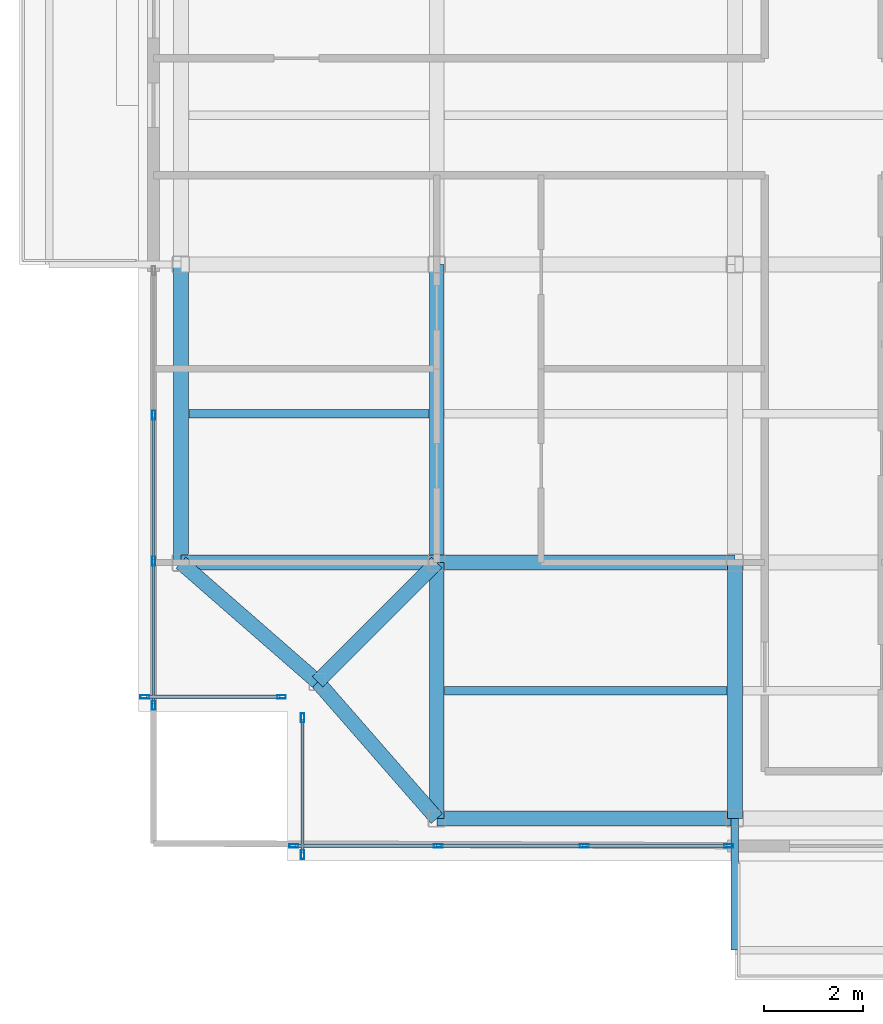
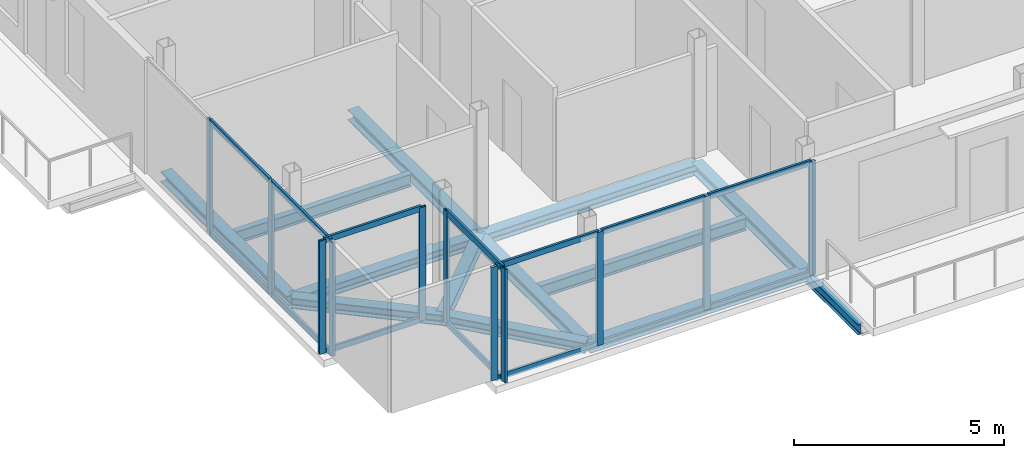
# One storey, part 2 of 18: 25 members, 13 beams, 4 elements without a shape of their own.
"""IFC4 building model written with IfcOpenShell, lengths in metres."""

from ifc_helpers import new_model, si_unit, direction, frame, origin, origin_2d, place, context, subcontext, project, spatial, hollow_rectangle, i_section, extrude, material, layer, layer_set, material_profile, profile_set, type_object, element, aggregate, save


model = new_model("IFC4")

# Units and contexts
model_context = context("Model", 3, precision=1e-05, world=origin(), true_north=direction((0.0, 1.0)))
body_context = subcontext(model_context, "Body", "Model", "MODEL_VIEW")
ifc_project = project(units=[si_unit("LENGTHUNIT", "METRE"), si_unit("AREAUNIT", "SQUARE_METRE"), si_unit("VOLUMEUNIT", "CUBIC_METRE"), si_unit("PLANEANGLEUNIT", "RADIAN"), si_unit("MASSUNIT", "GRAM", prefix="KILO"), si_unit("THERMODYNAMICTEMPERATUREUNIT", "KELVIN"), si_unit("POWERUNIT", "WATT")], contexts=[model_context])

# Site, building, storey
site_placement = place(None, origin())
site = spatial("IfcSite", under=ifc_project, at=site_placement, CompositionType="ELEMENT")
building_placement = place(site_placement, origin())
building = spatial("IfcBuilding", under=site, at=building_placement, Name="Svarakhadi Broadcast Tower", CompositionType="ELEMENT")
storey_placement = place(building_placement, frame((0.0, 0.0, 267.699951171875)))
storey = spatial("IfcBuildingStorey", under=building, at=storey_placement, Name="L67", CompositionType="ELEMENT", Elevation=267.699951171875)

# Beams
ifc_material_1 = material(Name="Steel S355J2 (IS 2062 E350C)", Category="steel")
ifc_material_profile_1 = material_profile(ifc_material_1, i_section(OverallWidth=0.169921875, OverallDepth=0.360107421875, WebThickness=0.008056640625, FlangeThickness=0.0126953125, FilletRadius=0.01806640625, at=origin_2d()), Name="NPB 360x170x57")
ifc_profile_set_1 = profile_set([ifc_material_profile_1], Name="Steel S355J2 (IS 2062 E350C)")
beam_type_1 = type_object("IfcBeamType", Name="Beam_NPB360", PredefinedType="BEAM", material=ifc_profile_set_1)
beam_1_placement = place(storey_placement, frame((1.010009765625, 9.0, -0.3798828125), z_axis=(1.0, 0.0, 0.0), x_axis=(0.0, 1.0, 0.0)))
element("IfcBeam", 1, at=beam_1_placement, inside=storey, type_object=beam_type_1, Name="L67 Secondary Composite Beam SB001", PredefinedType="BEAM", context=body_context, shape_type="SweptSolid", body=[
    extrude(i_section(OverallWidth=0.169921875, OverallDepth=0.360107421875, WebThickness=0.008056640625, FlangeThickness=0.0126953125, FilletRadius=0.01806640625, at=origin_2d()), origin(), (0.0, 0.0, 1.0), 4.830078125),
])
beam_2_placement = place(storey_placement, frame((6.159912109375, 3.425048828125, -0.3798828125), z_axis=(1.0, 0.0, 0.0), x_axis=(0.0, 1.0, 0.0)))
element("IfcBeam", 2, at=beam_2_placement, inside=storey, type_object=beam_type_1, Name="L67 Secondary Composite Beam SB004", PredefinedType="BEAM", context=body_context, shape_type="SweptSolid", body=[
    extrude(i_section(OverallWidth=0.169921875, OverallDepth=0.360107421875, WebThickness=0.008056640625, FlangeThickness=0.0126953125, FilletRadius=0.01806640625, at=origin_2d()), origin(), (0.0, 0.0, 1.0), 5.68017578125),
])

# Curtain wall, members
ifc_material_2 = material(Name="Anodised Bronze Aluminium AA 6063-T6", Category="aluminium")
ifc_layer = layer(ifc_material_2, 0.179931640625)
ifc_layer_set = layer_set([ifc_layer], Name="Anodised Bronze Aluminium AA 6063-T6")
curtain_wall_type = type_object("IfcCurtainWallType", Name="CW_Sys_05", PredefinedType="NOTDEFINED", material=ifc_layer_set)
curtain_wall_1_placement = place(storey_placement, origin())
curtain_wall_1 = element("IfcCurtainWall", 3, at=curtain_wall_1_placement, inside=storey, type_object=curtain_wall_type, Name="L67 Unitised Facade Curtain Wall 01", PredefinedType="NOTDEFINED")
ifc_material_profile_2 = material_profile(ifc_material_2, hollow_rectangle(XDim=0.070068359375, YDim=0.179931640625, WallThickness=0.005615234375, at=origin_2d()), Name="ALU MULLION 180x70x6")
ifc_profile_set_2 = profile_set([ifc_material_profile_2], Name="Anodised Bronze Aluminium AA 6063-T6")
member_type_1 = type_object("IfcMemberType", Name="CW_Sys_05_Mul", PredefinedType="MULLION", material=ifc_profile_set_2)
member_1_placement = place(storey_placement, frame((2.875, 3.300048828125, 0.0), z_axis=(0.0, 0.0, 1.0), x_axis=(0.0, -1.0, 0.0)))
member_1 = element("IfcMember", 4, at=member_1_placement, type_object=member_type_1, Name="CW-05 mullion 1", PredefinedType="MULLION", context=body_context, shape_type="SweptSolid", body=[
    extrude(hollow_rectangle(XDim=0.070068359375, YDim=0.179931640625, WallThickness=0.005615234375, at=origin_2d()), origin(), (0.0, 0.0, 1.0), 3.300048828125),
])
member_2_placement = place(storey_placement, frame((0.125, 3.300048828125, 0.0), z_axis=(0.0, 0.0, 1.0), x_axis=(0.0, -1.0, 0.0)))
member_2 = element("IfcMember", 5, at=member_2_placement, type_object=member_type_1, Name="CW-05 mullion 2", PredefinedType="MULLION", context=body_context, shape_type="SweptSolid", body=[
    extrude(hollow_rectangle(XDim=0.070068359375, YDim=0.179931640625, WallThickness=0.005615234375, at=origin_2d()), origin(), (0.0, 0.0, 1.0), 3.300048828125),
])

curtain_wall_2_placement = place(storey_placement, origin())
curtain_wall_2 = element("IfcCurtainWall", 6, at=curtain_wall_2_placement, inside=storey, type_object=curtain_wall_type, Name="L67 West Curtain Wall 02", PredefinedType="NOTDEFINED")
member_3_placement = place(storey_placement, frame((0.300048828125, 3.125, 0.0), z_axis=(0.0, 0.0, 1.0), x_axis=(-1.0, 0.0, 0.0)))
member_3 = element("IfcMember", 7, at=member_3_placement, type_object=member_type_1, Name="CW-05 mullion 1", PredefinedType="MULLION", context=body_context, shape_type="SweptSolid", body=[
    extrude(hollow_rectangle(XDim=0.070068359375, YDim=0.179931640625, WallThickness=0.005615234375, at=origin_2d()), origin(), (0.0, 0.0, 1.0), 3.300048828125),
])
member_4_placement = place(storey_placement, frame((0.300048828125, 6.030029296875, 0.0), z_axis=(0.0, 0.0, 1.0), x_axis=(-1.0, 0.0, 0.0)))
member_4 = element("IfcMember", 8, at=member_4_placement, type_object=member_type_1, Name="CW-05 mullion 2", PredefinedType="MULLION", context=body_context, shape_type="SweptSolid", body=[
    extrude(hollow_rectangle(XDim=0.070068359375, YDim=0.179931640625, WallThickness=0.005615234375, at=origin_2d()), origin(), (0.0, 0.0, 1.0), 3.300048828125),
])
member_5_placement = place(storey_placement, frame((0.300048828125, 8.969970703125, 0.0), z_axis=(0.0, 0.0, 1.0), x_axis=(-1.0, 0.0, 0.0)))
member_5 = element("IfcMember", 9, at=member_5_placement, type_object=member_type_1, Name="CW-05 mullion 3", PredefinedType="MULLION", context=body_context, shape_type="SweptSolid", body=[
    extrude(hollow_rectangle(XDim=0.070068359375, YDim=0.179931640625, WallThickness=0.005615234375, at=origin_2d()), origin(), (0.0, 0.0, 1.0), 3.300048828125),
])

curtain_wall_3_placement = place(storey_placement, origin())
curtain_wall_3 = element("IfcCurtainWall", 10, at=curtain_wall_3_placement, inside=storey, type_object=curtain_wall_type, Name="L67 South Curtain Wall 17", PredefinedType="NOTDEFINED")
member_6_placement = place(storey_placement, frame((11.875, 0.300048828125, 0.0), z_axis=(0.0, 0.0, 1.0), x_axis=(0.0, -1.0, 0.0)))
member_6 = element("IfcMember", 11, at=member_6_placement, type_object=member_type_1, Name="CW-05 mullion 1", PredefinedType="MULLION", context=body_context, shape_type="SweptSolid", body=[
    extrude(hollow_rectangle(XDim=0.070068359375, YDim=0.179931640625, WallThickness=0.005615234375, at=origin_2d()), origin(), (0.0, 0.0, 1.0), 3.300048828125),
])
member_7_placement = place(storey_placement, frame((8.969970703125, 0.300048828125, 0.0), z_axis=(0.0, 0.0, 1.0), x_axis=(0.0, -1.0, 0.0)))
member_7 = element("IfcMember", 12, at=member_7_placement, type_object=member_type_1, Name="CW-05 mullion 2", PredefinedType="MULLION", context=body_context, shape_type="SweptSolid", body=[
    extrude(hollow_rectangle(XDim=0.070068359375, YDim=0.179931640625, WallThickness=0.005615234375, at=origin_2d()), origin(), (0.0, 0.0, 1.0), 3.300048828125),
])
member_8_placement = place(storey_placement, frame((6.030029296875, 0.300048828125, 0.0), z_axis=(0.0, 0.0, 1.0), x_axis=(0.0, -1.0, 0.0)))
member_8 = element("IfcMember", 13, at=member_8_placement, type_object=member_type_1, Name="CW-05 mullion 3", PredefinedType="MULLION", context=body_context, shape_type="SweptSolid", body=[
    extrude(hollow_rectangle(XDim=0.070068359375, YDim=0.179931640625, WallThickness=0.005615234375, at=origin_2d()), origin(), (0.0, 0.0, 1.0), 3.300048828125),
])
member_9_placement = place(storey_placement, frame((3.125, 0.300048828125, 0.0), z_axis=(0.0, 0.0, 1.0), x_axis=(0.0, -1.0, 0.0)))
member_9 = element("IfcMember", 14, at=member_9_placement, type_object=member_type_1, Name="CW-05 mullion 4", PredefinedType="MULLION", context=body_context, shape_type="SweptSolid", body=[
    extrude(hollow_rectangle(XDim=0.070068359375, YDim=0.179931640625, WallThickness=0.005615234375, at=origin_2d()), origin(), (0.0, 0.0, 1.0), 3.300048828125),
])

curtain_wall_4_placement = place(storey_placement, origin())
curtain_wall_4 = element("IfcCurtainWall", 15, at=curtain_wall_4_placement, inside=storey, type_object=curtain_wall_type, Name="L67 Unitised Facade Curtain Wall 18", PredefinedType="NOTDEFINED")
member_10_placement = place(storey_placement, frame((3.300048828125, 0.125, 0.0), z_axis=(0.0, 0.0, 1.0), x_axis=(-1.0, 0.0, 0.0)))
member_10 = element("IfcMember", 16, at=member_10_placement, type_object=member_type_1, Name="CW-05 mullion 1", PredefinedType="MULLION", context=body_context, shape_type="SweptSolid", body=[
    extrude(hollow_rectangle(XDim=0.070068359375, YDim=0.179931640625, WallThickness=0.005615234375, at=origin_2d()), origin(), (0.0, 0.0, 1.0), 3.300048828125),
])
member_11_placement = place(storey_placement, frame((3.300048828125, 2.875, 0.0), z_axis=(0.0, 0.0, 1.0), x_axis=(-1.0, 0.0, 0.0)))
member_11 = element("IfcMember", 17, at=member_11_placement, type_object=member_type_1, Name="CW-05 mullion 2", PredefinedType="MULLION", context=body_context, shape_type="SweptSolid", body=[
    extrude(hollow_rectangle(XDim=0.070068359375, YDim=0.179931640625, WallThickness=0.005615234375, at=origin_2d()), origin(), (0.0, 0.0, 1.0), 3.300048828125),
])

# Member
ifc_material_profile_3 = material_profile(ifc_material_2, hollow_rectangle(XDim=0.06494140625, YDim=0.1650390625, WallThickness=0.0048828125, at=origin_2d()), Name="ALU TRANSOM 165x65x5")
ifc_profile_set_3 = profile_set([ifc_material_profile_3], Name="Anodised Bronze Aluminium AA 6063-T6")
member_type_2 = type_object("IfcMemberType", Name="CW_Sys_05_Trn", PredefinedType="USERDEFINED", material=ifc_profile_set_3)
member_12_placement = place(storey_placement, frame((2.840087890625, 3.300048828125, 0.032470703125), z_axis=(-1.0, 0.0, 0.0), x_axis=(0.0, -1.0, 0.0)))
member_12 = element("IfcMember", 18, at=member_12_placement, type_object=member_type_2, Name="CW-05 transom 1.1", ObjectType="TRANSOM", PredefinedType="USERDEFINED", context=body_context, shape_type="SweptSolid", body=[
    extrude(hollow_rectangle(XDim=0.06494140625, YDim=0.1650390625, WallThickness=0.0048828125, at=origin_2d()), origin(), (0.0, 0.0, 1.0), 2.68017578125),
])

member_13_placement = place(storey_placement, frame((2.840087890625, 3.300048828125, 3.267578125), z_axis=(-1.0, 0.0, 0.0), x_axis=(0.0, -1.0, 0.0)))
member_13 = element("IfcMember", 19, at=member_13_placement, type_object=member_type_2, Name="CW-05 transom 1.2", ObjectType="TRANSOM", PredefinedType="USERDEFINED", context=body_context, shape_type="SweptSolid", body=[
    extrude(hollow_rectangle(XDim=0.06494140625, YDim=0.1650390625, WallThickness=0.0048828125, at=origin_2d()), origin(), (0.0, 0.0, 1.0), 2.68017578125),
])

aggregate(curtain_wall_1, [member_1, member_2, member_12, member_13])

member_14_placement = place(storey_placement, frame((0.300048828125, 3.159912109375, 0.032470703125), z_axis=(0.0, 1.0, 0.0), x_axis=(-1.0, 0.0, 0.0)))
member_14 = element("IfcMember", 20, at=member_14_placement, type_object=member_type_2, Name="CW-05 transom 1.1", ObjectType="TRANSOM", PredefinedType="USERDEFINED", context=body_context, shape_type="SweptSolid", body=[
    extrude(hollow_rectangle(XDim=0.06494140625, YDim=0.1650390625, WallThickness=0.0048828125, at=origin_2d()), origin(), (0.0, 0.0, 1.0), 2.835205078125),
])

member_15_placement = place(storey_placement, frame((0.300048828125, 3.159912109375, 3.267578125), z_axis=(0.0, 1.0, 0.0), x_axis=(-1.0, 0.0, 0.0)))
member_15 = element("IfcMember", 21, at=member_15_placement, type_object=member_type_2, Name="CW-05 transom 1.2", ObjectType="TRANSOM", PredefinedType="USERDEFINED", context=body_context, shape_type="SweptSolid", body=[
    extrude(hollow_rectangle(XDim=0.06494140625, YDim=0.1650390625, WallThickness=0.0048828125, at=origin_2d()), origin(), (0.0, 0.0, 1.0), 2.835205078125),
])

member_16_placement = place(storey_placement, frame((0.300048828125, 6.06494140625, 0.032470703125), z_axis=(0.0, 1.0, 0.0), x_axis=(-1.0, 0.0, 0.0)))
member_16 = element("IfcMember", 22, at=member_16_placement, type_object=member_type_2, Name="CW-05 transom 2.1", ObjectType="TRANSOM", PredefinedType="USERDEFINED", context=body_context, shape_type="SweptSolid", body=[
    extrude(hollow_rectangle(XDim=0.06494140625, YDim=0.1650390625, WallThickness=0.0048828125, at=origin_2d()), origin(), (0.0, 0.0, 1.0), 2.8701171875),
])

member_17_placement = place(storey_placement, frame((0.300048828125, 6.06494140625, 3.267578125), z_axis=(0.0, 1.0, 0.0), x_axis=(-1.0, 0.0, 0.0)))
member_17 = element("IfcMember", 23, at=member_17_placement, type_object=member_type_2, Name="CW-05 transom 2.2", ObjectType="TRANSOM", PredefinedType="USERDEFINED", context=body_context, shape_type="SweptSolid", body=[
    extrude(hollow_rectangle(XDim=0.06494140625, YDim=0.1650390625, WallThickness=0.0048828125, at=origin_2d()), origin(), (0.0, 0.0, 1.0), 2.8701171875),
])

aggregate(curtain_wall_2, [member_3, member_4, member_5, member_14, member_15, member_16, member_17])

member_18_placement = place(storey_placement, frame((11.840087890625, 0.300048828125, 0.032470703125), z_axis=(-1.0, 0.0, 0.0), x_axis=(0.0, -1.0, 0.0)))
member_18 = element("IfcMember", 24, at=member_18_placement, type_object=member_type_2, Name="CW-05 transom 1.1", ObjectType="TRANSOM", PredefinedType="USERDEFINED", context=body_context, shape_type="SweptSolid", body=[
    extrude(hollow_rectangle(XDim=0.06494140625, YDim=0.1650390625, WallThickness=0.0048828125, at=origin_2d()), origin(), (0.0, 0.0, 1.0), 2.835205078125),
])

member_19_placement = place(storey_placement, frame((11.840087890625, 0.300048828125, 3.267578125), z_axis=(-1.0, 0.0, 0.0), x_axis=(0.0, -1.0, 0.0)))
member_19 = element("IfcMember", 25, at=member_19_placement, type_object=member_type_2, Name="CW-05 transom 1.2", ObjectType="TRANSOM", PredefinedType="USERDEFINED", context=body_context, shape_type="SweptSolid", body=[
    extrude(hollow_rectangle(XDim=0.06494140625, YDim=0.1650390625, WallThickness=0.0048828125, at=origin_2d()), origin(), (0.0, 0.0, 1.0), 2.835205078125),
])

member_20_placement = place(storey_placement, frame((8.93505859375, 0.300048828125, 0.032470703125), z_axis=(-1.0, 0.0, 0.0), x_axis=(0.0, -1.0, 0.0)))
member_20 = element("IfcMember", 26, at=member_20_placement, type_object=member_type_2, Name="CW-05 transom 2.1", ObjectType="TRANSOM", PredefinedType="USERDEFINED", context=body_context, shape_type="SweptSolid", body=[
    extrude(hollow_rectangle(XDim=0.06494140625, YDim=0.1650390625, WallThickness=0.0048828125, at=origin_2d()), origin(), (0.0, 0.0, 1.0), 2.8701171875),
])

member_21_placement = place(storey_placement, frame((8.93505859375, 0.300048828125, 3.267578125), z_axis=(-1.0, 0.0, 0.0), x_axis=(0.0, -1.0, 0.0)))
member_21 = element("IfcMember", 27, at=member_21_placement, type_object=member_type_2, Name="CW-05 transom 2.2", ObjectType="TRANSOM", PredefinedType="USERDEFINED", context=body_context, shape_type="SweptSolid", body=[
    extrude(hollow_rectangle(XDim=0.06494140625, YDim=0.1650390625, WallThickness=0.0048828125, at=origin_2d()), origin(), (0.0, 0.0, 1.0), 2.8701171875),
])

member_22_placement = place(storey_placement, frame((5.9951171875, 0.300048828125, 0.032470703125), z_axis=(-1.0, 0.0, 0.0), x_axis=(0.0, -1.0, 0.0)))
member_22 = element("IfcMember", 28, at=member_22_placement, type_object=member_type_2, Name="CW-05 transom 3.1", ObjectType="TRANSOM", PredefinedType="USERDEFINED", context=body_context, shape_type="SweptSolid", body=[
    extrude(hollow_rectangle(XDim=0.06494140625, YDim=0.1650390625, WallThickness=0.0048828125, at=origin_2d()), origin(), (0.0, 0.0, 1.0), 2.835205078125),
])

member_23_placement = place(storey_placement, frame((5.9951171875, 0.300048828125, 3.267578125), z_axis=(-1.0, 0.0, 0.0), x_axis=(0.0, -1.0, 0.0)))
member_23 = element("IfcMember", 29, at=member_23_placement, type_object=member_type_2, Name="CW-05 transom 3.2", ObjectType="TRANSOM", PredefinedType="USERDEFINED", context=body_context, shape_type="SweptSolid", body=[
    extrude(hollow_rectangle(XDim=0.06494140625, YDim=0.1650390625, WallThickness=0.0048828125, at=origin_2d()), origin(), (0.0, 0.0, 1.0), 2.835205078125),
])

aggregate(curtain_wall_3, [member_6, member_7, member_8, member_9, member_18, member_19, member_20, member_21, member_22, member_23])

member_24_placement = place(storey_placement, frame((3.300048828125, 0.159912109375, 0.032470703125), z_axis=(0.0, 1.0, 0.0), x_axis=(-1.0, 0.0, 0.0)))
member_24 = element("IfcMember", 30, at=member_24_placement, type_object=member_type_2, Name="CW-05 transom 1.1", ObjectType="TRANSOM", PredefinedType="USERDEFINED", context=body_context, shape_type="SweptSolid", body=[
    extrude(hollow_rectangle(XDim=0.06494140625, YDim=0.1650390625, WallThickness=0.0048828125, at=origin_2d()), origin(), (0.0, 0.0, 1.0), 2.68017578125),
])

member_25_placement = place(storey_placement, frame((3.300048828125, 0.159912109375, 3.267578125), z_axis=(0.0, 1.0, 0.0), x_axis=(-1.0, 0.0, 0.0)))
member_25 = element("IfcMember", 31, at=member_25_placement, type_object=member_type_2, Name="CW-05 transom 1.2", ObjectType="TRANSOM", PredefinedType="USERDEFINED", context=body_context, shape_type="SweptSolid", body=[
    extrude(hollow_rectangle(XDim=0.06494140625, YDim=0.1650390625, WallThickness=0.0048828125, at=origin_2d()), origin(), (0.0, 0.0, 1.0), 2.68017578125),
])

aggregate(curtain_wall_4, [member_10, member_11, member_24, member_25])

# Beams
ifc_material_profile_4 = material_profile(ifc_material_1, i_section(OverallWidth=0.300048828125, OverallDepth=0.300048828125, WebThickness=0.010986328125, FlangeThickness=0.01904296875, FilletRadius=0.027099609375, at=origin_2d()), Name="WPB 300x300x117")
ifc_profile_set_4 = profile_set([ifc_material_profile_4], Name="Steel S355J2 (IS 2062 E350C)")
beam_type_2 = type_object("IfcBeamType", Name="Girder_WPB300", PredefinedType="USERDEFINED", material=ifc_profile_set_4)
beam_3_placement = place(storey_placement, frame((3.60009765625, 3.60009765625, -0.349853515625), z_axis=(0.707106781187, 0.707106781187, 0.0), x_axis=(-0.707106781187, 0.707106781187, 0.0)))
element("IfcBeam", 32, at=beam_3_placement, inside=storey, type_object=beam_type_2, Name="L67 Corner Tie Girder G001", ObjectType="GIRDER", PredefinedType="USERDEFINED", context=body_context, shape_type="SweptSolid", body=[
    extrude(i_section(OverallWidth=0.300048828125, OverallDepth=0.300048828125, WebThickness=0.010986328125, FlangeThickness=0.01904296875, FilletRadius=0.027099609375, at=origin_2d()), origin(), (0.0, 0.0, 1.0), 3.39404296875),
])
for number, where, z_axis, x_axis, name in (
    (33, (3.60009765625, 3.60009765625, -0.349853515625), (-0.753437912176, 0.657519058655, 0.0), (-0.657519058655, -0.753437912176, 0.0), "L67 Corner Tie Girder G002"),
    (34, (3.60009765625, 3.60009765625, -0.349853515625), (0.657519058655, -0.753437912176, 0.0), (0.753437912176, 0.657519058655, 0.0), "L67 Corner Tie Girder G003"),
):
    element("IfcBeam", number, at=place(storey_placement, frame(where, z_axis=z_axis, x_axis=x_axis)), inside=storey, type_object=beam_type_2, Name=name, ObjectType="GIRDER", PredefinedType="USERDEFINED", context=body_context, shape_type="SweptSolid", body=[
        extrude(i_section(OverallWidth=0.300048828125, OverallDepth=0.300048828125, WebThickness=0.010986328125, FlangeThickness=0.01904296875, FilletRadius=0.027099609375, at=origin_2d()), origin(), (0.0, 0.0, 1.0), 3.64990234375),
    ])
beam_4_placement = place(storey_placement, frame((6.0, 0.85009765625, -0.349853515625), z_axis=(1.0, 0.0, 0.0), x_axis=(0.0, 1.0, 0.0)))
element("IfcBeam", 35, at=beam_4_placement, inside=storey, type_object=beam_type_2, Name="L67 Primary E-W Girder G004", ObjectType="GIRDER", PredefinedType="USERDEFINED", context=body_context, shape_type="SweptSolid", body=[
    extrude(i_section(OverallWidth=0.300048828125, OverallDepth=0.300048828125, WebThickness=0.010986328125, FlangeThickness=0.01904296875, FilletRadius=0.027099609375, at=origin_2d()), origin(), (0.0, 0.0, 1.0), 6.0),
])
beam_5_placement = place(storey_placement, frame((0.85009765625, 6.0, -0.349853515625), z_axis=(1.0, 0.0, 0.0), x_axis=(0.0, 1.0, 0.0)))
element("IfcBeam", 36, at=beam_5_placement, inside=storey, type_object=beam_type_2, Name="L67 Primary E-W Girder G008", ObjectType="GIRDER", PredefinedType="USERDEFINED", context=body_context, shape_type="SweptSolid", body=[
    extrude(i_section(OverallWidth=0.300048828125, OverallDepth=0.300048828125, WebThickness=0.010986328125, FlangeThickness=0.01904296875, FilletRadius=0.027099609375, at=origin_2d()), origin(), (0.0, 0.0, 1.0), 5.14990234375),
])
for number, where, z_axis, x_axis, name in (
    (37, (6.0, 6.0, -0.349853515625), (1.0, 0.0, 0.0), (0.0, 1.0, 0.0), "L67 Primary E-W Girder G009"),
    (38, (0.85009765625, 6.0, -0.349853515625), (0.0, 1.0, 0.0), (-1.0, 0.0, 0.0), "L67 Primary N-S Girder G026"),
):
    element("IfcBeam", number, at=place(storey_placement, frame(where, z_axis=z_axis, x_axis=x_axis)), inside=storey, type_object=beam_type_2, Name=name, ObjectType="GIRDER", PredefinedType="USERDEFINED", context=body_context, shape_type="SweptSolid", body=[
        extrude(i_section(OverallWidth=0.300048828125, OverallDepth=0.300048828125, WebThickness=0.010986328125, FlangeThickness=0.01904296875, FilletRadius=0.027099609375, at=origin_2d()), origin(), (0.0, 0.0, 1.0), 6.0),
    ])
beam_6_placement = place(storey_placement, frame((6.0, 0.85009765625, -0.349853515625), z_axis=(0.0, 1.0, 0.0), x_axis=(-1.0, 0.0, 0.0)))
element("IfcBeam", 39, at=beam_6_placement, inside=storey, type_object=beam_type_2, Name="L67 Primary N-S Girder G029", ObjectType="GIRDER", PredefinedType="USERDEFINED", context=body_context, shape_type="SweptSolid", body=[
    extrude(i_section(OverallWidth=0.300048828125, OverallDepth=0.300048828125, WebThickness=0.010986328125, FlangeThickness=0.01904296875, FilletRadius=0.027099609375, at=origin_2d()), origin(), (0.0, 0.0, 1.0), 5.14990234375),
])
beam_7_placement = place(storey_placement, frame((6.0, 6.0, -0.349853515625), z_axis=(0.0, 1.0, 0.0), x_axis=(-1.0, 0.0, 0.0)))
element("IfcBeam", 40, at=beam_7_placement, inside=storey, type_object=beam_type_2, Name="L67 Primary N-S Girder G030", ObjectType="GIRDER", PredefinedType="USERDEFINED", context=body_context, shape_type="SweptSolid", body=[
    extrude(i_section(OverallWidth=0.300048828125, OverallDepth=0.300048828125, WebThickness=0.010986328125, FlangeThickness=0.01904296875, FilletRadius=0.027099609375, at=origin_2d()), origin(), (0.0, 0.0, 1.0), 6.0),
])
beam_8_placement = place(storey_placement, frame((12.0, 0.85009765625, -0.349853515625), z_axis=(0.0, 1.0, 0.0), x_axis=(-1.0, 0.0, 0.0)))
element("IfcBeam", 41, at=beam_8_placement, inside=storey, type_object=beam_type_2, Name="L67 Primary N-S Girder G033", ObjectType="GIRDER", PredefinedType="USERDEFINED", context=body_context, shape_type="SweptSolid", body=[
    extrude(i_section(OverallWidth=0.300048828125, OverallDepth=0.300048828125, WebThickness=0.010986328125, FlangeThickness=0.01904296875, FilletRadius=0.027099609375, at=origin_2d()), origin(), (0.0, 0.0, 1.0), 5.14990234375),
])
ifc_material_profile_5 = material_profile(ifc_material_1, i_section(OverallWidth=0.14990234375, OverallDepth=0.300048828125, WebThickness=0.007080078125, FlangeThickness=0.0107421875, FilletRadius=0.014892578125, at=origin_2d()), Name="NPB 300x150x37")
ifc_profile_set_5 = profile_set([ifc_material_profile_5], Name="Steel S355J2 (IS 2062 E350C)")
beam_type_3 = type_object("IfcBeamType", Name="Spandrel_NPB300", PredefinedType="SPANDREL", material=ifc_profile_set_5)
beam_9_placement = place(storey_placement, frame((12.0, 0.85009765625, -0.375), z_axis=(0.0, -1.0, 0.0), x_axis=(1.0, 0.0, 0.0)))
element("IfcBeam", 42, at=beam_9_placement, inside=storey, type_object=beam_type_3, Name="L67 Balcony Cantilever Bracket 1A", PredefinedType="SPANDREL", context=body_context, shape_type="SweptSolid", body=[
    extrude(i_section(OverallWidth=0.14990234375, OverallDepth=0.300048828125, WebThickness=0.007080078125, FlangeThickness=0.0107421875, FilletRadius=0.014892578125, at=origin_2d()), origin(), (0.0, 0.0, 1.0), 2.650146484375),
])

save(model, "model.ifc")
